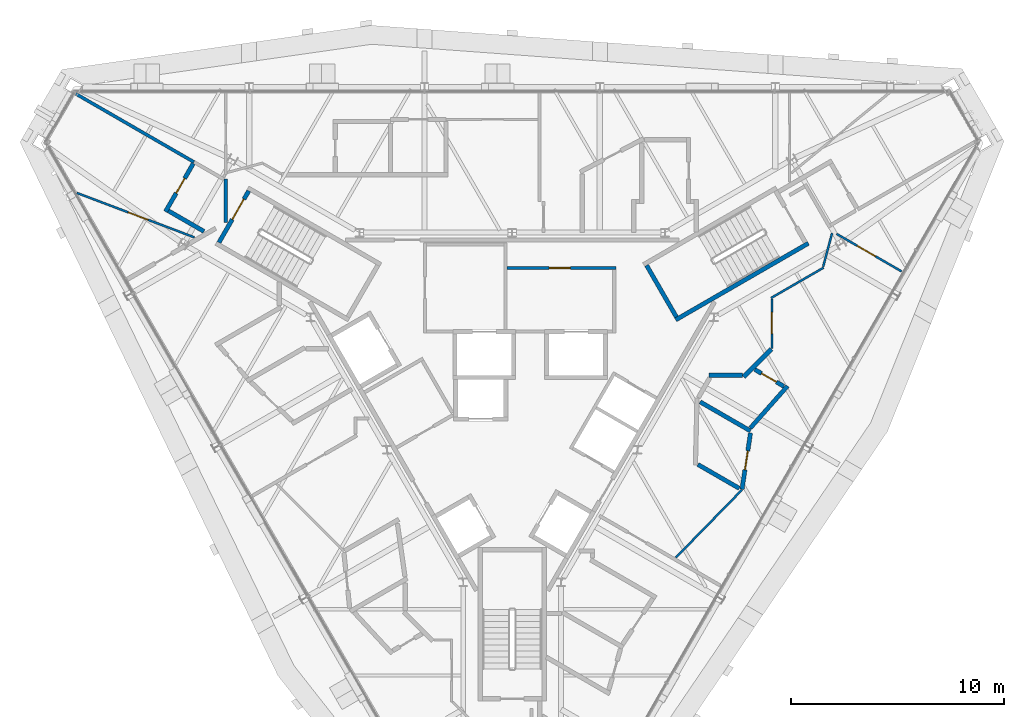
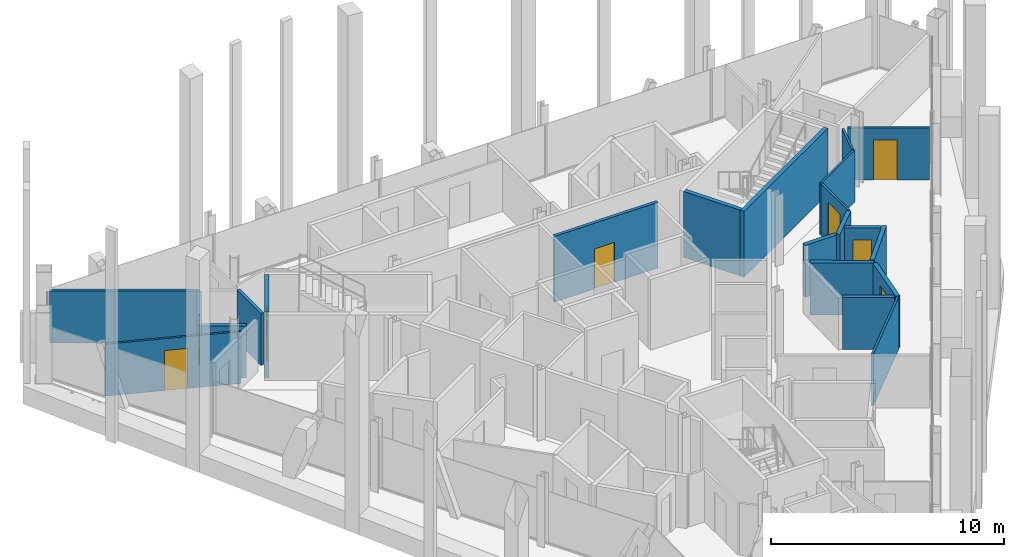
# One storey, part 11 of 15: 21 walls, 8 doors, 8 openings.
"""IFC4 building model written with IfcOpenShell, lengths in metres."""

import ifcopenshell
import ifcopenshell.guid

model = None  # the IFC model being written
_history = None  # IfcOwnerHistory: only IFC2X3 demands one
_inside = {}  # id of a spatial element -> (the spatial element, [elements in it])
_under = {}  # id of a project, library or spatial element -> (it, [spatial elements below it])
_declared = {}  # id of a project -> (the project, [libraries it declares])
_typed = {}  # id of a type object -> (the type object, [elements of that type])
_made_of = {}  # id of a material, layer set ... -> (it, [elements and type objects made of it])


def new_model(schema):
    """Start an empty IFC model of exactly this schema.

    Asked for "IFC4X3", IfcOpenShell would pick the latest addendum, in which some entities
    have other attributes; the version numbers below select the first issue.
    IFC2X3 requires an IfcOwnerHistory on every rooted entity: one is made here for all.
    """
    global model, _history
    if schema == "IFC4X3":
        model = ifcopenshell.file(schema_version=(4, 3, 0, 0))
    else:
        model = ifcopenshell.file(schema=schema)
    _inside.clear()
    _under.clear()
    _declared.clear()
    _typed.clear()
    _made_of.clear()
    _history = None
    if model.schema == "IFC2X3":
        org = make("IfcOrganization", Name="unknown")
        user = make(
            "IfcPersonAndOrganization",
            ThePerson=make("IfcPerson", FamilyName="unknown"),
            TheOrganization=org,
        )
        app = make(
            "IfcApplication",
            ApplicationDeveloper=org,
            Version="unknown",
            ApplicationFullName="unknown",
            ApplicationIdentifier="unknown",
        )
        _history = make(
            "IfcOwnerHistory",
            OwningUser=user,
            OwningApplication=app,
            ChangeAction="ADDED",
            CreationDate=0,
        )
    return model


def make(cls, **values):
    """One entity of the class cls with the attributes given. An attribute that is None is left unset."""
    return model.create_entity(
        cls, **{name: value for name, value in values.items() if value is not None}
    )


def rooted(cls, **values):
    """An entity with a GlobalId (a new one), such as an element, a storey or a relation."""
    return make(cls, GlobalId=ifcopenshell.guid.new(), OwnerHistory=_history, **values)


def si_unit(unit_type, name, prefix=None):
    """IfcSIUnit, for example si_unit("LENGTHUNIT", "METRE", prefix="MILLI")."""
    return make("IfcSIUnit", UnitType=unit_type, Prefix=prefix, Name=name)


def assignment(units):
    """IfcUnitAssignment: the units of a project."""
    return None if units is None else make("IfcUnitAssignment", Units=units)


def point(xyz):
    """IfcCartesianPoint."""
    return None if xyz is None else make("IfcCartesianPoint", Coordinates=xyz)


def direction(xyz):
    """IfcDirection."""
    return None if xyz is None else make("IfcDirection", DirectionRatios=xyz)


def frame(location, z_axis=None, x_axis=None):
    """IfcAxis2Placement3D, a coordinate frame: its origin and axes. An axis left out is left unset."""
    return make(
        "IfcAxis2Placement3D",
        Location=point(location),
        Axis=direction(z_axis),
        RefDirection=direction(x_axis),
    )


def frame_2d(location, x_axis=None):
    """IfcAxis2Placement2D, a coordinate frame in the plane: its origin and x axis."""
    return make(
        "IfcAxis2Placement2D", Location=point(location), RefDirection=direction(x_axis)
    )


def origin():
    """The frame at (0, 0, 0) with its axes left unset."""
    return frame((0.0, 0.0, 0.0))


def place(relative_to, where):
    """IfcLocalPlacement: puts the frame where relative to a parent placement (None: the world)."""
    return make(
        "IfcLocalPlacement", PlacementRelTo=relative_to, RelativePlacement=where
    )


def context(
    kind, dimensions, precision=None, world=None, true_north=None, identifier=None
):
    """IfcGeometricRepresentationContext, for example the 3D "Model" context."""
    return make(
        "IfcGeometricRepresentationContext",
        ContextIdentifier=identifier,
        ContextType=kind,
        CoordinateSpaceDimension=dimensions,
        Precision=precision,
        WorldCoordinateSystem=world,
        TrueNorth=true_north,
    )


def subcontext(parent, identifier, kind, view, scale=None):
    """IfcGeometricRepresentationSubContext, for example "Body" below "Model"."""
    return make(
        "IfcGeometricRepresentationSubContext",
        ContextIdentifier=identifier,
        ContextType=kind,
        ParentContext=parent,
        TargetScale=scale,
        TargetView=view,
    )


def project(units=None, contexts=None):
    """IfcProject with its units and contexts."""
    return rooted(
        "IfcProject",
        Name="project",
        RepresentationContexts=contexts,
        UnitsInContext=assignment(units),
    )


def spatial(cls, under=None, at=None, **own):
    """A site, building, storey or space (cls), placed at a placement, below another one or the project."""
    s = rooted(cls, ObjectPlacement=at, **own)
    if under is not None:
        _under.setdefault(under.id(), (under, []))[1].append(s)
    return s


def profile(cls, at=None, kind="AREA", **sizes):
    """A parametric profile (cls). Its sizes go by their IFC names, for example OverallWidth=200.0."""
    return make(cls, ProfileType=kind, Position=at, **sizes)


def rectangle(**sizes):
    """IfcRectangleProfileDef."""
    return profile("IfcRectangleProfileDef", **sizes)


def extrude(swept, where, along, depth):
    """IfcExtrudedAreaSolid: the profile swept, set in the frame where, extruded along a direction by depth."""
    return make(
        "IfcExtrudedAreaSolid",
        SweptArea=swept,
        Position=where,
        ExtrudedDirection=direction(along),
        Depth=depth,
    )


def shape(context_of_items, identifier, shape_type, items):
    """IfcShapeRepresentation: the items that make up one representation, for example the "Body"."""
    return make(
        "IfcShapeRepresentation",
        ContextOfItems=context_of_items,
        RepresentationIdentifier=identifier,
        RepresentationType=shape_type,
        Items=items,
    )


def material(Name=None, Category=None):
    """IfcMaterial."""
    return make("IfcMaterial", Name=Name, Category=Category)


def layer(
    of_material, thickness, ventilated=None, Name=None, Category=None, Priority=None
):
    """IfcMaterialLayer: one layer of a wall or slab, of a material (None: an air gap)."""
    return make(
        "IfcMaterialLayer",
        Material=of_material,
        LayerThickness=thickness,
        IsVentilated=ventilated,
        Name=Name,
        Category=Category,
        Priority=Priority,
    )


def layer_set(layers, Name=None):
    """IfcMaterialLayerSet."""
    return make("IfcMaterialLayerSet", MaterialLayers=layers, LayerSetName=Name)


def made_of(thing, what):
    """Note that an element or type object is made of a material, layer set ...; save() writes the relation."""
    if what is not None:
        _made_of.setdefault(what.id(), (what, []))[1].append(thing)
    return thing


def type_object(cls, material=None, **own):
    """A type object (cls), such as IfcWallType, which elements share."""
    return made_of(rooted(cls, **own), material)


def element(
    cls,
    number,
    at=None,
    inside=None,
    cuts=None,
    type_object=None,
    material=None,
    context=None,
    identifier="Body",
    shape_type=None,
    held_by="IfcProductDefinitionShape",
    body=None,
    shapes=None,
    **own,
):
    """One element of the class cls, such as IfcWall. Its Tag is "e" and its number.

    at: its placement. inside: the storey or other place that contains it. cuts: it is an
    opening in that element (IfcRelVoidsElement). A single representation is given by context,
    identifier, shape_type and body (its items); several are given by shapes. held_by: the class
    of the entity that holds the representations. save() writes the other relations.
    """
    e = rooted(cls, Tag="e%d" % number, ObjectPlacement=at, **own)
    if body is not None:
        shapes = [shape(context, identifier, shape_type, body)]
    if shapes is not None:
        e.Representation = make(held_by, Representations=shapes)
    if inside is not None:
        _inside.setdefault(inside.id(), (inside, []))[1].append(e)
    if cuts is not None:
        rooted(
            "IfcRelVoidsElement", RelatingBuildingElement=cuts, RelatedOpeningElement=e
        )
    if type_object is not None:
        _typed.setdefault(type_object.id(), (type_object, []))[1].append(e)
    return made_of(e, material)


def fill(opening, filler):
    """IfcRelFillsElement: the door or window that sits in an opening."""
    return rooted(
        "IfcRelFillsElement",
        RelatingOpeningElement=opening,
        RelatedBuildingElement=filler,
    )


def aggregate(whole, parts):
    """IfcRelAggregates: a whole, such as a stair, and the parts it consists of."""
    return rooted("IfcRelAggregates", RelatingObject=whole, RelatedObjects=parts)


def save(model, path):
    """Write the relations noted so far, then the file.

    IfcRelAggregates (storeys below a building ...), IfcRelContainedInSpatialStructure (elements
    in a storey), IfcRelDefinesByType, IfcRelAssociatesMaterial and IfcRelDeclares: one each for
    every whole, place, type object, material and project.
    """
    for whole, parts in _under.values():
        aggregate(whole, parts)
    for where, things in _inside.values():
        rooted(
            "IfcRelContainedInSpatialStructure",
            RelatedElements=things,
            RelatingStructure=where,
        )
    for kind, things in _typed.values():
        rooted("IfcRelDefinesByType", RelatedObjects=things, RelatingType=kind)
    for what, things in _made_of.values():
        rooted("IfcRelAssociatesMaterial", RelatedObjects=things, RelatingMaterial=what)
    for by, libraries in _declared.values():
        rooted("IfcRelDeclares", RelatingContext=by, RelatedDefinitions=libraries)
    model.write(path)


model = new_model("IFC4")

# Units and contexts
model_context = context("Model", 3, precision=1e-05, world=origin(), true_north=direction((0.0, 1.0)))
body_context = subcontext(model_context, "Body", "Model", "MODEL_VIEW")
ifc_project = project(units=[si_unit("LENGTHUNIT", "METRE"), si_unit("AREAUNIT", "SQUARE_METRE"), si_unit("VOLUMEUNIT", "CUBIC_METRE"), si_unit("PLANEANGLEUNIT", "RADIAN"), si_unit("MASSUNIT", "GRAM", prefix="KILO")], contexts=[model_context])

# Site, building, storey
site_placement = place(None, origin())
site = spatial("IfcSite", under=ifc_project, at=site_placement, CompositionType="ELEMENT")
building_placement = place(site_placement, origin())
building = spatial("IfcBuilding", under=site, at=building_placement, Name="Verrane Prism Tower", CompositionType="ELEMENT")
storey_placement = place(building_placement, frame((0.0, 0.0, 297.300048828125)))
storey = spatial("IfcBuildingStorey", under=building, at=storey_placement, Name="L75", CompositionType="ELEMENT", Elevation=297.300048828125)

# Walls
ifc_material_1 = material(Name="Concrete C40/50", Category="concrete")
ifc_layer_1 = layer(ifc_material_1, 0.199951171875)
ifc_layer_set_1 = layer_set([ifc_layer_1], Name="CW-200 stair core wall concrete C40/50 3 h")
wall_type_1 = type_object("IfcWallType", Name="CW-200 stair core wall concrete C40/50 3 h", PredefinedType="PARTITIONING", material=ifc_layer_set_1)
wall_1_placement = place(storey_placement, frame((7.67822265625, 2.700927734375, 0.0), z_axis=(0.0, 0.0, 1.0), x_axis=(0.866018442252, 0.500012057535, 0.0)))
element("IfcWall", 1, at=wall_1_placement, inside=storey, type_object=wall_type_1, Name="Stair 1 enclosure wall", PredefinedType="PARTITIONING", context=body_context, shape_type="SweptSolid", body=[
    extrude(rectangle(XDim=7.199951171875, YDim=0.199951171875, at=frame_2d((3.60009765625, 0.0))), origin(), (0.0, 0.0, 1.0), 3.449951171875),
])
wall_2_placement = place(storey_placement, frame((7.71484375, 2.837646484375, 0.0), z_axis=(0.0, 0.0, 1.0), x_axis=(-0.500049511043, 0.865996816683, 0.0)))
element("IfcWall", 2, at=wall_2_placement, inside=storey, type_object=wall_type_1, Name="Stair 1 enclosure wall", PredefinedType="PARTITIONING", context=body_context, shape_type="SweptSolid", body=[
    extrude(rectangle(XDim=2.800048828125, YDim=0.199951171875, at=frame_2d((1.39990234375, 0.0))), origin(), (0.0, 0.0, 1.0), 3.449951171875),
])

# Wall, opening, door
wall_3_placement = place(storey_placement, frame((-12.376953125, 8.762451171875, 0.0), z_axis=(0.0, 0.0, 1.0), x_axis=(-0.500049511043, -0.865996816683, 0.0)))
wall_3 = element("IfcWall", 3, at=wall_3_placement, inside=storey, type_object=wall_type_1, Name="Stair 2 enclosure wall", PredefinedType="PARTITIONING", context=body_context, shape_type="SweptSolid", body=[
    extrude(rectangle(XDim=2.800048828125, YDim=0.199951171875, at=frame_2d((1.39990234375, 0.0))), origin(), (0.0, 0.0, 1.0), 3.449951171875),
])
opening_1_placement = place(wall_3_placement, frame((0.449951171875, 0.0, 0.0)))
opening_1 = element("IfcOpeningElement", 4, at=opening_1_placement, cuts=wall_3, Name="Opening D75501", PredefinedType="OPENING", context=body_context, shape_type="SweptSolid", body=[
    extrude(rectangle(XDim=1.10009765625, YDim=2.10009765625, at=frame_2d((0.550048828125, 1.050048828125))), frame((0.0, 0.10986328125, 0.0), z_axis=(0.0, -1.0, 0.0), x_axis=(1.0, 0.0, 0.0)), (0.0, 0.0, 1.0), 0.219970703125),
])
ifc_material_2 = material(Name="Timber veneered door leaf", Category="wood")
door_type_1 = type_object("IfcDoorType", Name="DR-1100x2100 FD90 single leaf stair", OperationType="NOTDEFINED", PredefinedType="DOOR", material=ifc_material_2)
door_1_placement = place(opening_1_placement, origin())
door_1 = element("IfcDoor", 5, at=door_1_placement, inside=storey, type_object=door_type_1, Name="Stair 2 door", OperationType="SINGLE_SWING_RIGHT", OverallHeight=2.10009765625, OverallWidth=1.10009765625, PredefinedType="DOOR", context=body_context, shape_type="SweptSolid", body=[
    extrude(rectangle(XDim=1.10009765625, YDim=2.10009765625, at=frame_2d((0.550048828125, 1.050048828125))), frame((0.0, 0.02490234375, 0.0), z_axis=(0.0, -1.0, 0.0), x_axis=(1.0, 0.0, 0.0)), (0.0, 0.0, 1.0), 0.050048828125),
])
fill(opening_1, door_1)

ifc_material_3 = material(Name="Gypsum board partition", Category="other")
ifc_layer_2 = layer(ifc_material_3, 0.14990234375)
ifc_layer_set_2 = layer_set([ifc_layer_2], Name="LF-150 firefighting lobby wall 1 h")
wall_type_2 = type_object("IfcWallType", Name="LF-150 firefighting lobby wall 1 h", PredefinedType="PARTITIONING", material=ifc_layer_set_2)
wall_4_placement = place(storey_placement, frame((-0.2451171875, 5.139892578125, 0.0), z_axis=(0.0, 0.0, 1.0), x_axis=(1.0, 0.0, 0.0)))
wall_4 = element("IfcWall", 6, at=wall_4_placement, inside=storey, type_object=wall_type_2, Name="Firefighting lobby wall LF1-005", PredefinedType="PARTITIONING", context=body_context, shape_type="SweptSolid", body=[
    extrude(rectangle(XDim=5.110107421875, YDim=0.14990234375, at=frame_2d((2.55517578125, 0.0))), origin(), (0.0, 0.0, 1.0), 3.449951171875),
])
opening_2_placement = place(wall_4_placement, frame((1.97509765625, 0.0, 0.0)))
opening_2 = element("IfcOpeningElement", 7, at=opening_2_placement, cuts=wall_4, Name="Opening D75513", PredefinedType="OPENING", context=body_context, shape_type="SweptSolid", body=[
    extrude(rectangle(XDim=1.0, YDim=2.10009765625, at=frame_2d((0.5, 1.050048828125))), frame((0.0, 0.0849609375, 0.0), z_axis=(0.0, -1.0, 0.0), x_axis=(1.0, 0.0, 0.0)), (0.0, 0.0, 1.0), 0.169921875),
])
ifc_material_4 = material(Name="Timber veneered door leaf", Category="wood")
door_type_2 = type_object("IfcDoorType", Name="DR-1000x2100 FD60 single leaf firefighting lobby", OperationType="NOTDEFINED", PredefinedType="DOOR", material=ifc_material_4)
door_2_placement = place(opening_2_placement, origin())
door_2 = element("IfcDoor", 8, at=door_2_placement, inside=storey, type_object=door_type_2, Name="Firefighting lobby door D75513", OperationType="SINGLE_SWING_LEFT", OverallHeight=2.10009765625, OverallWidth=1.0, PredefinedType="DOOR", context=body_context, shape_type="SweptSolid", body=[
    extrude(rectangle(XDim=1.0, YDim=2.10009765625, at=frame_2d((0.5, 1.050048828125))), frame((0.0, 0.02490234375, 0.0), z_axis=(0.0, -1.0, 0.0), x_axis=(1.0, 0.0, 0.0)), (0.0, 0.0, 1.0), 0.050048828125),
])
fill(opening_2, door_2)

ifc_material_5 = material(Name="Gypsum board partition", Category="other")
ifc_layer_3 = layer(ifc_material_5, 0.10009765625)
ifc_layer_set_3 = layer_set([ifc_layer_3], Name="PW-100 room partition")
wall_type_3 = type_object("IfcWallType", Name="PW-100 room partition", PredefinedType="PARTITIONING", material=ifc_layer_set_3)
wall_5_placement = place(storey_placement, frame((-20.454345703125, 8.66748046875, 0.0), z_axis=(0.0, 0.0, 1.0), x_axis=(0.935410436961, -0.353563734601, 0.0)))
wall_5 = element("IfcWall", 9, at=wall_5_placement, inside=storey, type_object=wall_type_3, Name="Room partition 002", PredefinedType="PARTITIONING", context=body_context, shape_type="SweptSolid", body=[
    extrude(rectangle(XDim=5.90673828125, YDim=0.10009765625, at=frame_2d((2.953369140625, 0.0))), origin(), (0.0, 0.0, 1.0), 2.722900390625),
])
opening_3_placement = place(wall_5_placement, frame((2.581787109375, 0.0, 0.0)))
opening_3 = element("IfcOpeningElement", 10, at=opening_3_placement, cuts=wall_5, Name="Opening D75025", PredefinedType="OPENING", context=body_context, shape_type="SweptSolid", body=[
    extrude(rectangle(XDim=1.0, YDim=2.10009765625, at=frame_2d((0.5, 1.050048828125))), frame((0.0, 0.06005859375, 0.0), z_axis=(0.0, -1.0, 0.0), x_axis=(1.0, 0.0, 0.0)), (0.0, 0.0, 1.0), 0.1201171875),
])
ifc_material_6 = material(Name="Timber veneered door leaf", Category="wood")
door_type_3 = type_object("IfcDoorType", Name="DR-1000x2100 single leaf inner", OperationType="NOTDEFINED", PredefinedType="DOOR", material=ifc_material_6)
door_3_placement = place(opening_3_placement, origin())
door_3 = element("IfcDoor", 11, at=door_3_placement, inside=storey, type_object=door_type_3, Name="Study door", OperationType="SINGLE_SWING_LEFT", OverallHeight=2.10009765625, OverallWidth=1.0, PredefinedType="DOOR", context=body_context, shape_type="SweptSolid", body=[
    extrude(rectangle(XDim=1.0, YDim=2.10009765625, at=frame_2d((0.5, 1.050048828125))), frame((0.0, 0.02490234375, 0.0), z_axis=(0.0, -1.0, 0.0), x_axis=(1.0, 0.0, 0.0)), (0.0, 0.0, 1.0), 0.050048828125),
])
fill(opening_3, door_3)

# Wall
wall_6_placement = place(storey_placement, frame((7.68212890625, -8.470458984375, 0.0), z_axis=(0.0, 0.0, 1.0), x_axis=(0.698777378461, 0.715339203002, 0.0)))
element("IfcWall", 12, at=wall_6_placement, inside=storey, type_object=wall_type_3, Name="Room partition 067", PredefinedType="PARTITIONING", context=body_context, shape_type="SweptSolid", body=[
    extrude(rectangle(XDim=4.451904296875, YDim=0.10009765625, at=frame_2d((2.22607421875, 0.0))), origin(), (0.0, 0.0, 1.0), 2.722900390625),
])

# Wall, opening, door
wall_7_placement = place(storey_placement, frame((12.198974609375, 3.681884765625, 0.0), z_axis=(0.0, 0.0, 1.0), x_axis=(0.0, -1.0, 0.0)))
wall_7 = element("IfcWall", 13, at=wall_7_placement, inside=storey, type_object=wall_type_3, Name="Room partition 080", PredefinedType="PARTITIONING", context=body_context, shape_type="SweptSolid", body=[
    extrude(rectangle(XDim=2.330810546875, YDim=0.10009765625, at=frame_2d((1.16552734375, 0.0))), origin(), (0.0, 0.0, 1.0), 2.722900390625),
])
opening_4_placement = place(wall_7_placement, frame((0.631103515625, 0.0, 0.0)))
opening_4 = element("IfcOpeningElement", 14, at=opening_4_placement, cuts=wall_7, Name="Opening D75007", PredefinedType="OPENING", context=body_context, shape_type="SweptSolid", body=[
    extrude(rectangle(XDim=1.0, YDim=2.10009765625, at=frame_2d((0.5, 1.050048828125))), frame((0.0, 0.06005859375, 0.0), z_axis=(0.0, -1.0, 0.0), x_axis=(1.0, 0.0, 0.0)), (0.0, 0.0, 1.0), 0.1201171875),
])
door_4_placement = place(opening_4_placement, origin())
door_4 = element("IfcDoor", 15, at=door_4_placement, inside=storey, type_object=door_type_3, Name="Entrance Foyer door", OperationType="SINGLE_SWING_RIGHT", OverallHeight=2.10009765625, OverallWidth=1.0, PredefinedType="DOOR", context=body_context, shape_type="SweptSolid", body=[
    extrude(rectangle(XDim=1.0, YDim=2.10009765625, at=frame_2d((0.5, 1.050048828125))), frame((0.0, 0.02490234375, 0.0), z_axis=(0.0, -1.0, 0.0), x_axis=(1.0, 0.0, 0.0)), (0.0, 0.0, 1.0), 0.050048828125),
])
fill(opening_4, door_4)

# Walls
wall_8_placement = place(storey_placement, frame((12.15576171875, 3.72705078125, 0.0), z_axis=(0.0, 0.0, 1.0), x_axis=(0.866012137121, 0.500022977831, 0.0)))
element("IfcWall", 16, at=wall_8_placement, inside=storey, type_object=wall_type_3, Name="Room partition 081", PredefinedType="PARTITIONING", context=body_context, shape_type="SweptSolid", body=[
    extrude(rectangle(XDim=2.859619140625, YDim=0.10009765625, at=frame_2d((1.4296875, 0.0))), origin(), (0.0, 0.0, 1.0), 2.722900390625),
])
wall_9_placement = place(storey_placement, frame((14.607177734375, 5.19970703125, 0.0), z_axis=(0.0, 0.0, 1.0), x_axis=(0.258519214507, 0.966006115783, 0.0)))
element("IfcWall", 17, at=wall_9_placement, inside=storey, type_object=wall_type_3, Name="Room partition 087", PredefinedType="PARTITIONING", context=body_context, shape_type="SweptSolid", body=[
    extrude(rectangle(XDim=1.6318359375, YDim=0.10009765625, at=frame_2d((0.81591796875, 0.0))), origin(), (0.0, 0.0, 1.0), 2.722900390625),
])

# Wall, opening, door
wall_10_placement = place(storey_placement, frame((15.23779296875, 6.74365234375, 0.0), z_axis=(0.0, 0.0, 1.0), x_axis=(0.866104892567, -0.49986229611, 0.0)))
wall_10 = element("IfcWall", 18, at=wall_10_placement, inside=storey, type_object=wall_type_3, Name="Room partition 090", PredefinedType="PARTITIONING", context=body_context, shape_type="SweptSolid", body=[
    extrude(rectangle(XDim=3.5263671875, YDim=0.10009765625, at=frame_2d((1.76318359375, 0.0))), origin(), (0.0, 0.0, 1.0), 2.722900390625),
])
opening_5_placement = place(wall_10_placement, frame((1.113525390625, 0.0, 0.0)))
opening_5 = element("IfcOpeningElement", 19, at=opening_5_placement, cuts=wall_10, Name="Opening D75009", PredefinedType="OPENING", context=body_context, shape_type="SweptSolid", body=[
    extrude(rectangle(XDim=1.0, YDim=2.10009765625, at=frame_2d((0.5, 1.050048828125))), frame((0.0, 0.06005859375, 0.0), z_axis=(0.0, -1.0, 0.0), x_axis=(1.0, 0.0, 0.0)), (0.0, 0.0, 1.0), 0.1201171875),
])
door_5_placement = place(opening_5_placement, origin())
door_5 = element("IfcDoor", 20, at=door_5_placement, inside=storey, type_object=door_type_3, Name="Living And Dining Room door", OperationType="SINGLE_SWING_LEFT", OverallHeight=2.10009765625, OverallWidth=1.0, PredefinedType="DOOR", context=body_context, shape_type="SweptSolid", body=[
    extrude(rectangle(XDim=1.0, YDim=2.10009765625, at=frame_2d((0.5, 1.050048828125))), frame((0.0, 0.02490234375, 0.0), z_axis=(0.0, -1.0, 0.0), x_axis=(1.0, 0.0, 0.0)), (0.0, 0.0, 1.0), 0.050048828125),
])
fill(opening_5, door_5)

# Walls
ifc_material_7 = material(Name="Gypsum board partition", Category="other")
ifc_layer_4 = layer(ifc_material_7, 0.14990234375)
ifc_layer_set_4 = layer_set([ifc_layer_4], Name="PW-150 demising wall 1 h")
wall_type_4 = type_object("IfcWallType", Name="PW-150 demising wall 1 h", PredefinedType="PARTITIONING", material=ifc_layer_set_4)
wall_11_placement = place(storey_placement, frame((-20.505859375, 13.323974609375, 0.0), z_axis=(0.0, 0.0, 1.0), x_axis=(0.866004971522, -0.500035388047, 0.0)))
element("IfcWall", 21, at=wall_11_placement, inside=storey, type_object=wall_type_4, Name="Demising wall 001", PredefinedType="PARTITIONING", context=body_context, shape_type="SweptSolid", body=[
    extrude(rectangle(XDim=6.41552734375, YDim=0.14990234375, at=frame_2d((3.207763671875, 0.0))), origin(), (0.0, 0.0, 1.0), 2.722900390625),
])
wall_12_placement = place(storey_placement, frame((-13.458984375, 7.27587890625, 0.0), z_axis=(0.0, 0.0, 1.0), x_axis=(0.0, 1.0, 0.0)))
element("IfcWall", 22, at=wall_12_placement, inside=storey, type_object=wall_type_4, Name="Demising wall 010", PredefinedType="PARTITIONING", context=body_context, shape_type="SweptSolid", body=[
    extrude(rectangle(XDim=2.05419921875, YDim=0.14990234375, at=frame_2d((1.027099609375, 0.0))), origin(), (0.0, 0.0, 1.0), 2.722900390625),
])

# Wall, opening, door
ifc_material_8 = material(Name="Gypsum board partition", Category="other")
ifc_layer_5 = layer(ifc_material_8, 0.199951171875)
ifc_layer_set_5 = layer_set([ifc_layer_5], Name="PW-200 plumbing wall")
wall_type_5 = type_object("IfcWallType", Name="PW-200 plumbing wall", PredefinedType="PARTITIONING", material=ifc_layer_set_5)
wall_13_placement = place(storey_placement, frame((-14.985107421875, 10.044677734375, 0.0), z_axis=(0.0, 0.0, 1.0), x_axis=(-0.499917058339, -0.866073284879, 0.0)))
wall_13 = element("IfcWall", 23, at=wall_13_placement, inside=storey, type_object=wall_type_5, Name="Plumbing wall 004", PredefinedType="PARTITIONING", context=body_context, shape_type="SweptSolid", body=[
    extrude(rectangle(XDim=2.6064453125, YDim=0.199951171875, at=frame_2d((1.30322265625, 0.0))), origin(), (0.0, 0.0, 1.0), 2.722900390625),
])
opening_6_placement = place(wall_13_placement, frame((0.806396484375, 0.0, 0.0)))
opening_6 = element("IfcOpeningElement", 24, at=opening_6_placement, cuts=wall_13, Name="Opening D75026", PredefinedType="OPENING", context=body_context, shape_type="SweptSolid", body=[
    extrude(rectangle(XDim=0.800048828125, YDim=2.10009765625, at=frame_2d((0.39990234375, 1.050048828125))), frame((0.0, 0.10986328125, 0.0), z_axis=(0.0, -1.0, 0.0), x_axis=(1.0, 0.0, 0.0)), (0.0, 0.0, 1.0), 0.219970703125),
])
ifc_material_9 = material(Name="Timber veneered door leaf", Category="wood")
door_type_4 = type_object("IfcDoorType", Name="DR-800x2100 single leaf bath", OperationType="NOTDEFINED", PredefinedType="DOOR", material=ifc_material_9)
door_6_placement = place(opening_6_placement, origin())
door_6 = element("IfcDoor", 25, at=door_6_placement, inside=storey, type_object=door_type_4, Name="Master Bathroom door", OperationType="SINGLE_SWING_LEFT", OverallHeight=2.10009765625, OverallWidth=0.800048828125, PredefinedType="DOOR", context=body_context, shape_type="SweptSolid", body=[
    extrude(rectangle(XDim=0.800048828125, YDim=2.10009765625, at=frame_2d((0.39990234375, 1.050048828125))), frame((0.0, 0.02490234375, 0.0), z_axis=(0.0, -1.0, 0.0), x_axis=(1.0, 0.0, 0.0)), (0.0, 0.0, 1.0), 0.050048828125),
])
fill(opening_6, door_6)

# Walls
wall_14_placement = place(storey_placement, frame((-16.1513671875, 7.823974609375, 0.0), z_axis=(0.0, 0.0, 1.0), x_axis=(0.86603803935, -0.499978113919, 0.0)))
element("IfcWall", 26, at=wall_14_placement, inside=storey, type_object=wall_type_5, Name="Plumbing wall 005", PredefinedType="PARTITIONING", context=body_context, shape_type="SweptSolid", body=[
    extrude(rectangle(XDim=1.9287109375, YDim=0.199951171875, at=frame_2d((0.96435546875, 0.0))), origin(), (0.0, 0.0, 1.0), 2.722900390625),
])
wall_15_placement = place(storey_placement, frame((8.725830078125, -4.092529296875, 0.0), z_axis=(0.0, 0.0, 1.0), x_axis=(0.866056839033, -0.499945548598, 0.0)))
element("IfcWall", 27, at=wall_15_placement, inside=storey, type_object=wall_type_5, Name="Plumbing wall 071", PredefinedType="PARTITIONING", context=body_context, shape_type="SweptSolid", body=[
    extrude(rectangle(XDim=2.241943359375, YDim=0.199951171875, at=frame_2d((1.12109375, 0.0))), origin(), (0.0, 0.0, 1.0), 2.722900390625),
])
wall_16_placement = place(storey_placement, frame((8.828125, -1.149169921875, 0.0), z_axis=(0.0, 0.0, 1.0), x_axis=(0.865853899269, -0.50029693695, 0.0)))
element("IfcWall", 28, at=wall_16_placement, inside=storey, type_object=wall_type_5, Name="Plumbing wall 074", PredefinedType="PARTITIONING", context=body_context, shape_type="SweptSolid", body=[
    extrude(rectangle(XDim=2.734130859375, YDim=0.199951171875, at=frame_2d((1.3671875, 0.0))), origin(), (0.0, 0.0, 1.0), 2.722900390625),
])
wall_17_placement = place(storey_placement, frame((9.2529296875, 0.10107421875, 0.0), z_axis=(0.0, 0.0, 1.0), x_axis=(1.0, 0.0, 0.0)))
element("IfcWall", 29, at=wall_17_placement, inside=storey, type_object=wall_type_5, Name="Plumbing wall 075", PredefinedType="PARTITIONING", context=body_context, shape_type="SweptSolid", body=[
    extrude(rectangle(XDim=1.55615234375, YDim=0.199951171875, at=frame_2d((0.778076171875, 0.0))), origin(), (0.0, 0.0, 1.0), 2.722900390625),
])

# Wall, opening, door
wall_18_placement = place(storey_placement, frame((10.79736328125, -5.25634765625, 0.0), z_axis=(0.0, 0.0, 1.0), x_axis=(0.148961207986, 0.988843040384, 0.0)))
wall_18 = element("IfcWall", 30, at=wall_18_placement, inside=storey, type_object=wall_type_5, Name="Plumbing wall 076", PredefinedType="PARTITIONING", context=body_context, shape_type="SweptSolid", body=[
    extrude(rectangle(XDim=2.673095703125, YDim=0.199951171875, at=frame_2d((1.33642578125, 0.0))), origin(), (0.0, 0.0, 1.0), 2.722900390625),
])
opening_7_placement = place(wall_18_placement, frame((0.919921875, 0.0, 0.0)))
opening_7 = element("IfcOpeningElement", 31, at=opening_7_placement, cuts=wall_18, Name="Opening D75008", PredefinedType="OPENING", context=body_context, shape_type="SweptSolid", body=[
    extrude(rectangle(XDim=0.89990234375, YDim=2.10009765625, at=frame_2d((0.449951171875, 1.050048828125))), frame((0.0, 0.10986328125, 0.0), z_axis=(0.0, -1.0, 0.0), x_axis=(1.0, 0.0, 0.0)), (0.0, 0.0, 1.0), 0.219970703125),
])
ifc_material_10 = material(Name="Timber veneered door leaf", Category="wood")
door_type_5 = type_object("IfcDoorType", Name="DR-900x2100 single leaf inner", OperationType="NOTDEFINED", PredefinedType="DOOR", material=ifc_material_10)
door_7_placement = place(opening_7_placement, origin())
door_7 = element("IfcDoor", 32, at=door_7_placement, inside=storey, type_object=door_type_5, Name="Kitchen door", OperationType="SINGLE_SWING_RIGHT", OverallHeight=2.10009765625, OverallWidth=0.89990234375, PredefinedType="DOOR", context=body_context, shape_type="SweptSolid", body=[
    extrude(rectangle(XDim=0.89990234375, YDim=2.10009765625, at=frame_2d((0.449951171875, 1.050048828125))), frame((0.0, 0.02490234375, 0.0), z_axis=(0.0, -1.0, 0.0), x_axis=(1.0, 0.0, 0.0)), (0.0, 0.0, 1.0), 0.050048828125),
])
fill(opening_7, door_7)

# Walls
wall_19_placement = place(storey_placement, frame((10.878173828125, 0.0302734375, 0.0), z_axis=(0.0, 0.0, 1.0), x_axis=(0.707173379423, 0.707040176677, 0.0)))
element("IfcWall", 33, at=wall_19_placement, inside=storey, type_object=wall_type_5, Name="Plumbing wall 077", PredefinedType="PARTITIONING", context=body_context, shape_type="SweptSolid", body=[
    extrude(rectangle(XDim=1.832763671875, YDim=0.199951171875, at=frame_2d((0.91650390625, 0.0))), origin(), (0.0, 0.0, 1.0), 2.722900390625),
])
wall_20_placement = place(storey_placement, frame((11.1884765625, -2.377197265625, 0.0), z_axis=(0.0, 0.0, 1.0), x_axis=(0.663045631266, 0.748578981043, 0.0)))
element("IfcWall", 34, at=wall_20_placement, inside=storey, type_object=wall_type_5, Name="Plumbing wall 078", PredefinedType="PARTITIONING", context=body_context, shape_type="SweptSolid", body=[
    extrude(rectangle(XDim=2.634521484375, YDim=0.199951171875, at=frame_2d((1.3173828125, 0.0))), origin(), (0.0, 0.0, 1.0), 2.722900390625),
])

# Wall, opening, door
wall_21_placement = place(storey_placement, frame((12.7607421875, -0.41748046875, 0.0), z_axis=(0.0, 0.0, 1.0), x_axis=(-0.866030680601, 0.499990860175, 0.0)))
wall_21 = element("IfcWall", 35, at=wall_21_placement, inside=storey, type_object=wall_type_5, Name="Plumbing wall 079", PredefinedType="PARTITIONING", context=body_context, shape_type="SweptSolid", body=[
    extrude(rectangle(XDim=1.57470703125, YDim=0.199951171875, at=frame_2d((0.787353515625, 0.0))), origin(), (0.0, 0.0, 1.0), 2.722900390625),
])
opening_8_placement = place(wall_21_placement, frame((0.405029296875, 0.0, 0.0)))
opening_8 = element("IfcOpeningElement", 36, at=opening_8_placement, cuts=wall_21, Name="Opening D75010", PredefinedType="OPENING", context=body_context, shape_type="SweptSolid", body=[
    extrude(rectangle(XDim=0.800048828125, YDim=2.10009765625, at=frame_2d((0.39990234375, 1.050048828125))), frame((0.0, 0.10986328125, 0.0), z_axis=(0.0, -1.0, 0.0), x_axis=(1.0, 0.0, 0.0)), (0.0, 0.0, 1.0), 0.219970703125),
])
ifc_material_11 = material(Name="Timber veneered door leaf", Category="wood")
door_type_6 = type_object("IfcDoorType", Name="DR-800x2100 single leaf inner", OperationType="NOTDEFINED", PredefinedType="DOOR", material=ifc_material_11)
door_8_placement = place(opening_8_placement, origin())
door_8 = element("IfcDoor", 37, at=door_8_placement, inside=storey, type_object=door_type_6, Name="Bathroom door", OperationType="SINGLE_SWING_LEFT", OverallHeight=2.10009765625, OverallWidth=0.800048828125, PredefinedType="DOOR", context=body_context, shape_type="SweptSolid", body=[
    extrude(rectangle(XDim=0.800048828125, YDim=2.10009765625, at=frame_2d((0.39990234375, 1.050048828125))), frame((0.0, 0.02490234375, 0.0), z_axis=(0.0, -1.0, 0.0), x_axis=(1.0, 0.0, 0.0)), (0.0, 0.0, 1.0), 0.050048828125),
])
fill(opening_8, door_8)

save(model, "model.ifc")
